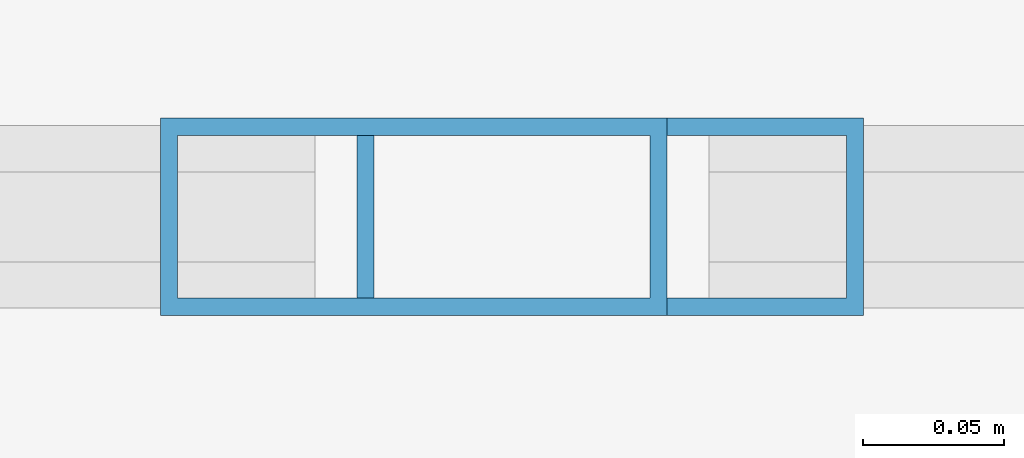
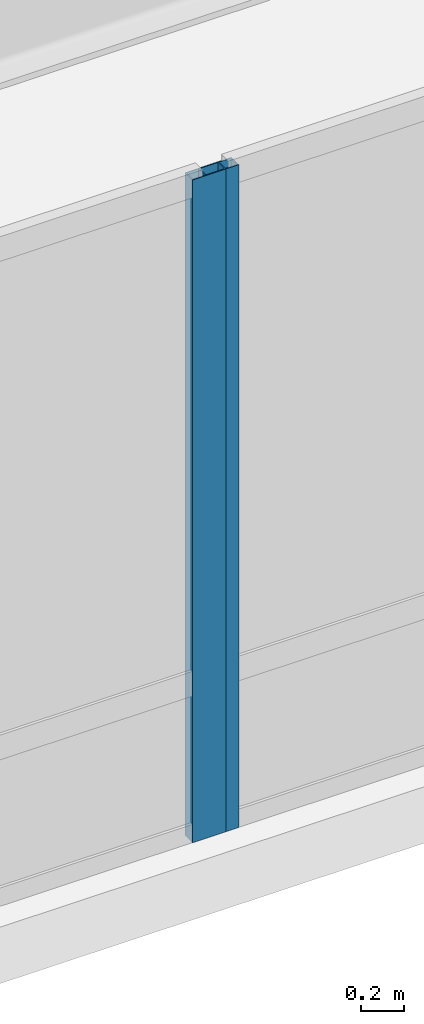
# One storey, part 4 of 17: 2 members, 2 elements without a shape of their own.
"""IFC4 building model written with IfcOpenShell, lengths in metres."""

from ifc_helpers import new_model, si_unit, direction, frame, origin, origin_2d, place, context, subcontext, project, spatial, hollow_rectangle, extrude, material, layer, layer_set, material_profile, profile_set, type_object, element, aggregate, save


model = new_model("IFC4")

# Units and contexts
model_context = context("Model", 3, precision=1e-05, world=origin(), true_north=direction((0.0, 1.0)))
body_context = subcontext(model_context, "Body", "Model", "MODEL_VIEW")
ifc_project = project(units=[si_unit("LENGTHUNIT", "METRE"), si_unit("AREAUNIT", "SQUARE_METRE"), si_unit("VOLUMEUNIT", "CUBIC_METRE"), si_unit("PLANEANGLEUNIT", "RADIAN"), si_unit("MASSUNIT", "GRAM", prefix="KILO"), si_unit("THERMODYNAMICTEMPERATUREUNIT", "KELVIN"), si_unit("POWERUNIT", "WATT")], contexts=[model_context])

# Site, building, storey
site_placement = place(None, origin())
site = spatial("IfcSite", under=ifc_project, at=site_placement, CompositionType="ELEMENT")
building_placement = place(site_placement, origin())
building = spatial("IfcBuilding", under=site, at=building_placement, Name="Ocrelia Relay Tower", CompositionType="ELEMENT")
storey_placement = place(building_placement, frame((0.0, 0.0, 20.39990234375)))
storey = spatial("IfcBuildingStorey", under=building, at=storey_placement, Name="L04", CompositionType="ELEMENT", Elevation=20.39990234375)

# Curtain wall, member
ifc_material_1 = material(Name="Aluminium and solar-control low-E glass", Category="aluminium")
ifc_layer = layer(ifc_material_1, 0.179931640625, Name="Aluminium and solar-control low-E glass")
ifc_layer_set = layer_set([ifc_layer], Name="Aluminium and solar-control low-E glass")
curtain_wall_type = type_object("IfcCurtainWallType", Name="CW-SYS-POD-GALL", PredefinedType="NOTDEFINED", material=ifc_layer_set)
curtain_wall_1_placement = place(storey_placement, origin())
curtain_wall_1 = element("IfcCurtainWall", 1, at=curtain_wall_1_placement, inside=storey, type_object=curtain_wall_type, Name="L04 South Over-Arch Curtain Wall West", PredefinedType="NOTDEFINED")
ifc_material_2 = material(Name="Anodised bronze aluminium", Category="aluminium")
ifc_material_profile = material_profile(ifc_material_2, hollow_rectangle(XDim=0.070068359375, YDim=0.179931640625, WallThickness=0.006103515625, at=origin_2d()), Name="CW-MUL-180x70")
ifc_profile_set = profile_set([ifc_material_profile], Name="Anodised bronze aluminium")
member_type = type_object("IfcMemberType", Name="CW-SYS-POD-GALL-MUL", PredefinedType="MULLION", material=ifc_profile_set)
member_1_placement = place(storey_placement, frame((33.965087890625, 0.179931640625, 0.0), z_axis=(0.0, 0.0, 1.0), x_axis=(0.0, 1.0, 0.0)))
member_1 = element("IfcMember", 2, at=member_1_placement, type_object=member_type, Name="CW-PG mullion 4", PredefinedType="MULLION", context=body_context, shape_type="SweptSolid", body=[
    extrude(hollow_rectangle(XDim=0.070068359375, YDim=0.179931640625, WallThickness=0.006103515625, at=origin_2d()), origin(), (0.0, 0.0, 1.0), 3.760009765625),
])
aggregate(curtain_wall_1, [member_1])

curtain_wall_2_placement = place(storey_placement, origin())
curtain_wall_2 = element("IfcCurtainWall", 3, at=curtain_wall_2_placement, inside=storey, type_object=curtain_wall_type, Name="L04 South Over-Arch Curtain Wall East", PredefinedType="NOTDEFINED")
member_2_placement = place(storey_placement, frame((34.034912109375, 0.179931640625, 0.0), z_axis=(0.0, 0.0, 1.0), x_axis=(0.0, 1.0, 0.0)))
member_2 = element("IfcMember", 4, at=member_2_placement, type_object=member_type, Name="CW-PG mullion 1", PredefinedType="MULLION", context=body_context, shape_type="SweptSolid", body=[
    extrude(hollow_rectangle(XDim=0.070068359375, YDim=0.179931640625, WallThickness=0.006103515625, at=origin_2d()), origin(), (0.0, 0.0, 1.0), 3.760009765625),
])
aggregate(curtain_wall_2, [member_2])

save(model, "model.ifc")
